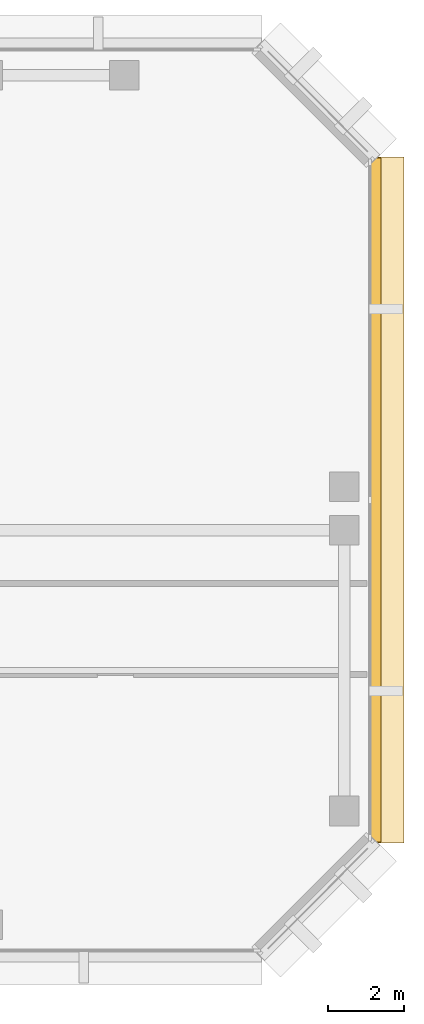
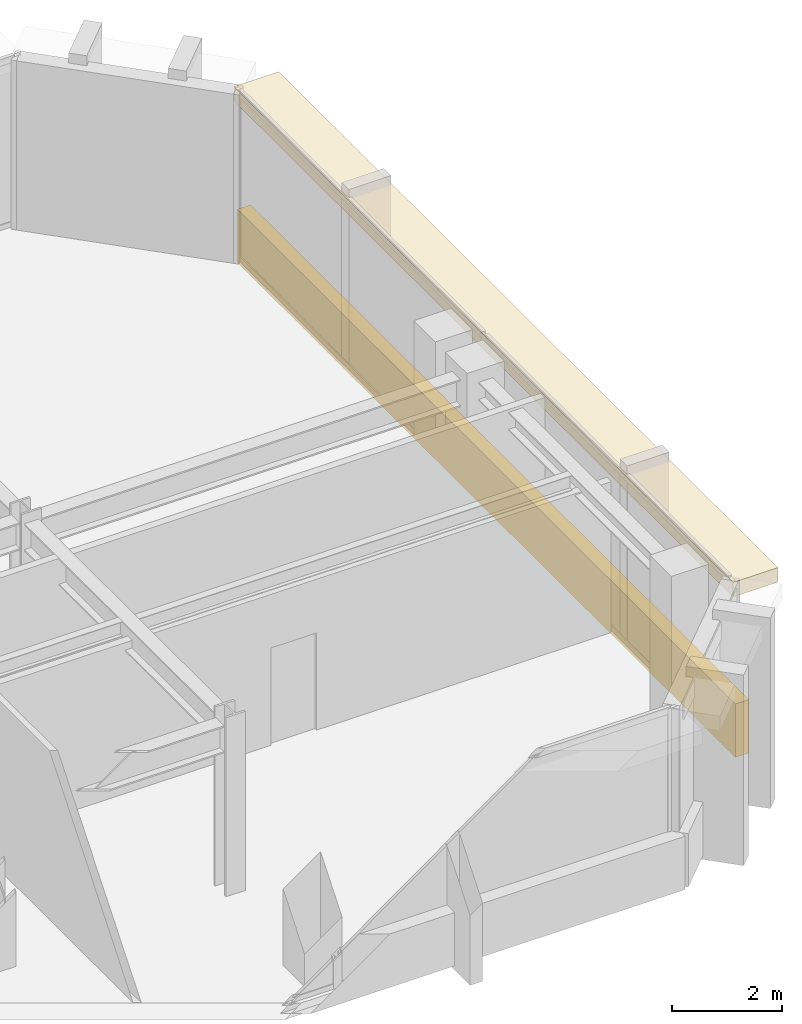
# One storey, part 10 of 12: 2 coverings.
"""IFC4 building model written with IfcOpenShell, lengths in metres."""

import ifcopenshell
import ifcopenshell.guid

model = None  # the IFC model being written
_history = None  # IfcOwnerHistory: only IFC2X3 demands one
_inside = {}  # id of a spatial element -> (the spatial element, [elements in it])
_under = {}  # id of a project, library or spatial element -> (it, [spatial elements below it])
_declared = {}  # id of a project -> (the project, [libraries it declares])
_typed = {}  # id of a type object -> (the type object, [elements of that type])
_made_of = {}  # id of a material, layer set ... -> (it, [elements and type objects made of it])


def new_model(schema):
    """Start an empty IFC model of exactly this schema.

    Asked for "IFC4X3", IfcOpenShell would pick the latest addendum, in which some entities
    have other attributes; the version numbers below select the first issue.
    IFC2X3 requires an IfcOwnerHistory on every rooted entity: one is made here for all.
    """
    global model, _history
    if schema == "IFC4X3":
        model = ifcopenshell.file(schema_version=(4, 3, 0, 0))
    else:
        model = ifcopenshell.file(schema=schema)
    _inside.clear()
    _under.clear()
    _declared.clear()
    _typed.clear()
    _made_of.clear()
    _history = None
    if model.schema == "IFC2X3":
        org = make("IfcOrganization", Name="unknown")
        user = make(
            "IfcPersonAndOrganization",
            ThePerson=make("IfcPerson", FamilyName="unknown"),
            TheOrganization=org,
        )
        app = make(
            "IfcApplication",
            ApplicationDeveloper=org,
            Version="unknown",
            ApplicationFullName="unknown",
            ApplicationIdentifier="unknown",
        )
        _history = make(
            "IfcOwnerHistory",
            OwningUser=user,
            OwningApplication=app,
            ChangeAction="ADDED",
            CreationDate=0,
        )
    return model


def make(cls, **values):
    """One entity of the class cls with the attributes given. An attribute that is None is left unset."""
    return model.create_entity(
        cls, **{name: value for name, value in values.items() if value is not None}
    )


def rooted(cls, **values):
    """An entity with a GlobalId (a new one), such as an element, a storey or a relation."""
    return make(cls, GlobalId=ifcopenshell.guid.new(), OwnerHistory=_history, **values)


def si_unit(unit_type, name, prefix=None):
    """IfcSIUnit, for example si_unit("LENGTHUNIT", "METRE", prefix="MILLI")."""
    return make("IfcSIUnit", UnitType=unit_type, Prefix=prefix, Name=name)


def assignment(units):
    """IfcUnitAssignment: the units of a project."""
    return None if units is None else make("IfcUnitAssignment", Units=units)


def point(xyz):
    """IfcCartesianPoint."""
    return None if xyz is None else make("IfcCartesianPoint", Coordinates=xyz)


def direction(xyz):
    """IfcDirection."""
    return None if xyz is None else make("IfcDirection", DirectionRatios=xyz)


def frame(location, z_axis=None, x_axis=None):
    """IfcAxis2Placement3D, a coordinate frame: its origin and axes. An axis left out is left unset."""
    return make(
        "IfcAxis2Placement3D",
        Location=point(location),
        Axis=direction(z_axis),
        RefDirection=direction(x_axis),
    )


def frame_2d(location, x_axis=None):
    """IfcAxis2Placement2D, a coordinate frame in the plane: its origin and x axis."""
    return make(
        "IfcAxis2Placement2D", Location=point(location), RefDirection=direction(x_axis)
    )


def origin():
    """The frame at (0, 0, 0) with its axes left unset."""
    return frame((0.0, 0.0, 0.0))


def origin_2d():
    """The frame at (0, 0) in the plane with its x axis left unset."""
    return frame_2d((0.0, 0.0))


def place(relative_to, where):
    """IfcLocalPlacement: puts the frame where relative to a parent placement (None: the world)."""
    return make(
        "IfcLocalPlacement", PlacementRelTo=relative_to, RelativePlacement=where
    )


def context(
    kind, dimensions, precision=None, world=None, true_north=None, identifier=None
):
    """IfcGeometricRepresentationContext, for example the 3D "Model" context."""
    return make(
        "IfcGeometricRepresentationContext",
        ContextIdentifier=identifier,
        ContextType=kind,
        CoordinateSpaceDimension=dimensions,
        Precision=precision,
        WorldCoordinateSystem=world,
        TrueNorth=true_north,
    )


def subcontext(parent, identifier, kind, view, scale=None):
    """IfcGeometricRepresentationSubContext, for example "Body" below "Model"."""
    return make(
        "IfcGeometricRepresentationSubContext",
        ContextIdentifier=identifier,
        ContextType=kind,
        ParentContext=parent,
        TargetScale=scale,
        TargetView=view,
    )


def project(units=None, contexts=None):
    """IfcProject with its units and contexts."""
    return rooted(
        "IfcProject",
        Name="project",
        RepresentationContexts=contexts,
        UnitsInContext=assignment(units),
    )


def spatial(cls, under=None, at=None, **own):
    """A site, building, storey or space (cls), placed at a placement, below another one or the project."""
    s = rooted(cls, ObjectPlacement=at, **own)
    if under is not None:
        _under.setdefault(under.id(), (under, []))[1].append(s)
    return s


def profile(cls, at=None, kind="AREA", **sizes):
    """A parametric profile (cls). Its sizes go by their IFC names, for example OverallWidth=200.0."""
    return make(cls, ProfileType=kind, Position=at, **sizes)


def rectangle(**sizes):
    """IfcRectangleProfileDef."""
    return profile("IfcRectangleProfileDef", **sizes)


def extrude(swept, where, along, depth):
    """IfcExtrudedAreaSolid: the profile swept, set in the frame where, extruded along a direction by depth."""
    return make(
        "IfcExtrudedAreaSolid",
        SweptArea=swept,
        Position=where,
        ExtrudedDirection=direction(along),
        Depth=depth,
    )


def shape(context_of_items, identifier, shape_type, items):
    """IfcShapeRepresentation: the items that make up one representation, for example the "Body"."""
    return make(
        "IfcShapeRepresentation",
        ContextOfItems=context_of_items,
        RepresentationIdentifier=identifier,
        RepresentationType=shape_type,
        Items=items,
    )


def material(Name=None, Category=None):
    """IfcMaterial."""
    return make("IfcMaterial", Name=Name, Category=Category)


def layer(
    of_material, thickness, ventilated=None, Name=None, Category=None, Priority=None
):
    """IfcMaterialLayer: one layer of a wall or slab, of a material (None: an air gap)."""
    return make(
        "IfcMaterialLayer",
        Material=of_material,
        LayerThickness=thickness,
        IsVentilated=ventilated,
        Name=Name,
        Category=Category,
        Priority=Priority,
    )


def layer_set(layers, Name=None):
    """IfcMaterialLayerSet."""
    return make("IfcMaterialLayerSet", MaterialLayers=layers, LayerSetName=Name)


def made_of(thing, what):
    """Note that an element or type object is made of a material, layer set ...; save() writes the relation."""
    if what is not None:
        _made_of.setdefault(what.id(), (what, []))[1].append(thing)
    return thing


def type_object(cls, material=None, **own):
    """A type object (cls), such as IfcWallType, which elements share."""
    return made_of(rooted(cls, **own), material)


def element(
    cls,
    number,
    at=None,
    inside=None,
    cuts=None,
    type_object=None,
    material=None,
    context=None,
    identifier="Body",
    shape_type=None,
    held_by="IfcProductDefinitionShape",
    body=None,
    shapes=None,
    **own,
):
    """One element of the class cls, such as IfcWall. Its Tag is "e" and its number.

    at: its placement. inside: the storey or other place that contains it. cuts: it is an
    opening in that element (IfcRelVoidsElement). A single representation is given by context,
    identifier, shape_type and body (its items); several are given by shapes. held_by: the class
    of the entity that holds the representations. save() writes the other relations.
    """
    e = rooted(cls, Tag="e%d" % number, ObjectPlacement=at, **own)
    if body is not None:
        shapes = [shape(context, identifier, shape_type, body)]
    if shapes is not None:
        e.Representation = make(held_by, Representations=shapes)
    if inside is not None:
        _inside.setdefault(inside.id(), (inside, []))[1].append(e)
    if cuts is not None:
        rooted(
            "IfcRelVoidsElement", RelatingBuildingElement=cuts, RelatedOpeningElement=e
        )
    if type_object is not None:
        _typed.setdefault(type_object.id(), (type_object, []))[1].append(e)
    return made_of(e, material)


def aggregate(whole, parts):
    """IfcRelAggregates: a whole, such as a stair, and the parts it consists of."""
    return rooted("IfcRelAggregates", RelatingObject=whole, RelatedObjects=parts)


def save(model, path):
    """Write the relations noted so far, then the file.

    IfcRelAggregates (storeys below a building ...), IfcRelContainedInSpatialStructure (elements
    in a storey), IfcRelDefinesByType, IfcRelAssociatesMaterial and IfcRelDeclares: one each for
    every whole, place, type object, material and project.
    """
    for whole, parts in _under.values():
        aggregate(whole, parts)
    for where, things in _inside.values():
        rooted(
            "IfcRelContainedInSpatialStructure",
            RelatedElements=things,
            RelatingStructure=where,
        )
    for kind, things in _typed.values():
        rooted("IfcRelDefinesByType", RelatedObjects=things, RelatingType=kind)
    for what, things in _made_of.values():
        rooted("IfcRelAssociatesMaterial", RelatedObjects=things, RelatingMaterial=what)
    for by, libraries in _declared.values():
        rooted("IfcRelDeclares", RelatingContext=by, RelatedDefinitions=libraries)
    model.write(path)


model = new_model("IFC4")

# Units and contexts
model_context = context("Model", 3, precision=1e-05, world=origin(), true_north=direction((0.0, 1.0)))
body_context = subcontext(model_context, "Body", "Model", "MODEL_VIEW")
ifc_project = project(units=[si_unit("LENGTHUNIT", "METRE"), si_unit("AREAUNIT", "SQUARE_METRE"), si_unit("VOLUMEUNIT", "CUBIC_METRE"), si_unit("PLANEANGLEUNIT", "RADIAN"), si_unit("MASSUNIT", "GRAM", prefix="KILO")], contexts=[model_context])

# Site, building, storey
site_placement = place(None, origin())
site = spatial("IfcSite", under=ifc_project, at=site_placement, CompositionType="ELEMENT")
building_placement = place(site_placement, origin())
building = spatial("IfcBuilding", under=site, at=building_placement, Name="Kefirva Bronze Tower", CompositionType="ELEMENT")
storey_placement = place(building_placement, frame((0.0, 0.0, 268.2900390625)))
storey = spatial("IfcBuildingStorey", under=building, at=storey_placement, Name="L65", CompositionType="ELEMENT", Elevation=268.2900390625)

# Coverings
ifc_material = material(Name="Bronze anodised aluminium", Category="aluminium")
ifc_layer_1 = layer(ifc_material, 0.02001953125, Name="Bronze anodised aluminium")
ifc_layer_set_1 = layer_set([ifc_layer_1], Name="Bronze anodised aluminium")
covering_type_1 = type_object("IfcCoveringType", Name="Anodised Bronze Spandrel Cladding 20mm", PredefinedType="CLADDING", material=ifc_layer_set_1)
covering_1_placement = place(storey_placement, frame((50.239990234375, 34.0, -0.16015625), z_axis=(0.0, 0.0, 1.0), x_axis=(0.0, 1.0, 0.0)))
element("IfcCovering", 1, at=covering_1_placement, inside=storey, type_object=covering_type_1, Name="L65 Streamline Horizontal Spandrel Band 6", PredefinedType="CLADDING", context=body_context, shape_type="SweptSolid", body=[
    extrude(rectangle(XDim=18.0400390625, YDim=0.280029296875, at=origin_2d()), origin(), (0.0, 0.0, 1.0), 1.179931640625),
])
ifc_layer_2 = layer(ifc_material, 0.179931640625, Name="Bronze anodised aluminium")
ifc_layer_set_2 = layer_set([ifc_layer_2], Name="Bronze anodised aluminium")
covering_type_2 = type_object("IfcCoveringType", Name="Streamline Bronze Sunshade Eyebrow Cladding 180mm", PredefinedType="CLADDING", material=ifc_layer_set_2)
covering_2_placement = place(storey_placement, frame((50.510009765625, 34.0, 3.419921875), z_axis=(0.0, 0.0, 1.0), x_axis=(0.0, 1.0, 0.0)))
element("IfcCovering", 2, at=covering_2_placement, inside=storey, type_object=covering_type_2, Name="L65 Streamline Bronze Sunshade Eyebrow 6", PredefinedType="CLADDING", context=body_context, shape_type="SweptSolid", body=[
    extrude(rectangle(XDim=18.080078125, YDim=0.93994140625, at=origin_2d()), origin(), (0.0, 0.0, 1.0), 0.320068359375),
])

save(model, "model.ifc")
